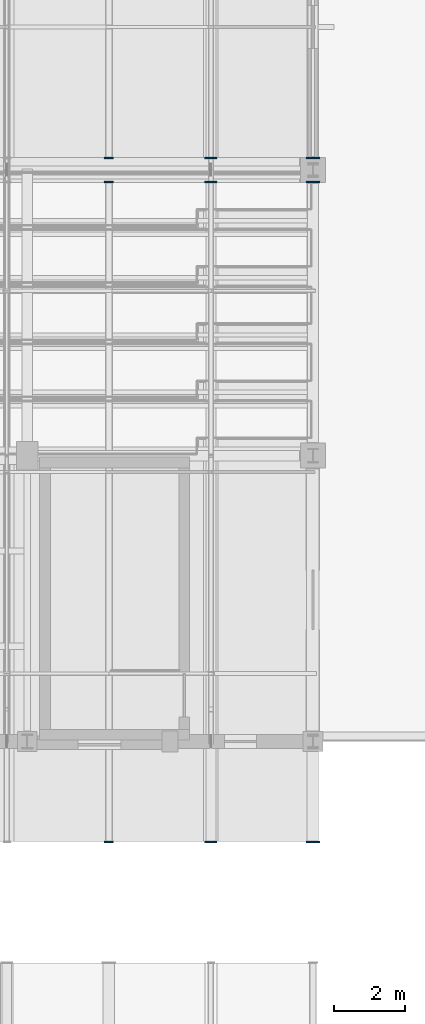
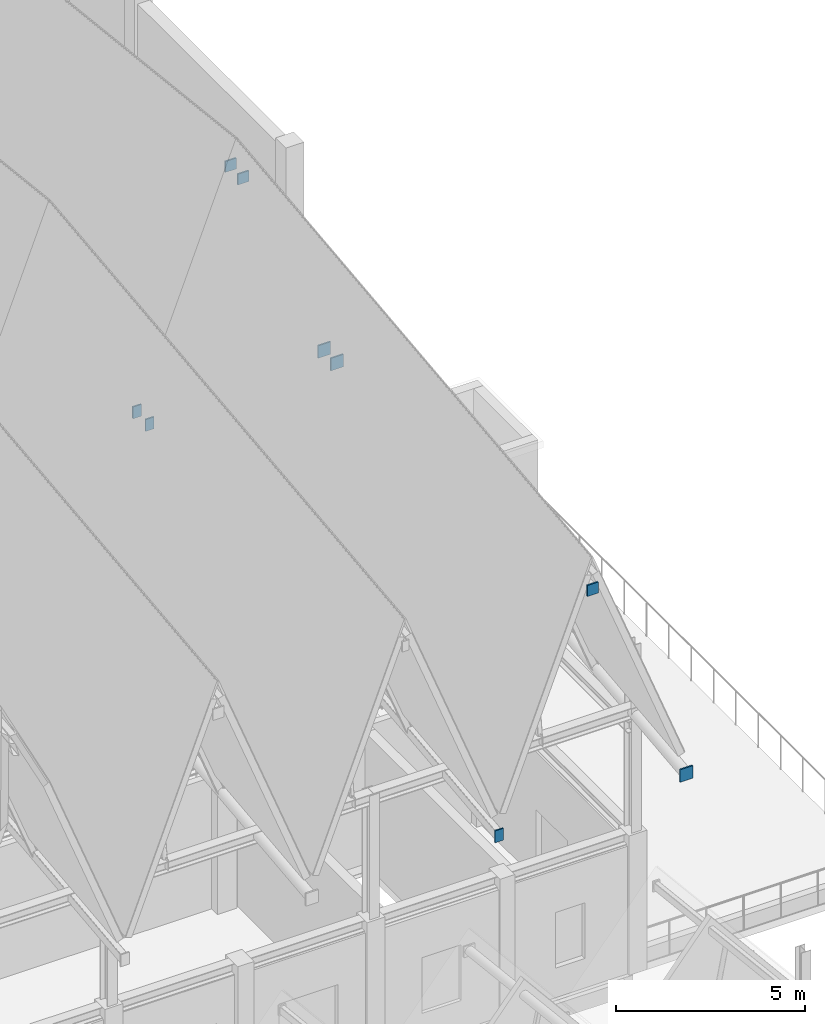
# One storey, part 59 of 77: 9 discrete accessories.
"""IFC4 building model written with IfcOpenShell, lengths in metres."""

import ifcopenshell
import ifcopenshell.guid

model = None  # the IFC model being written
_history = None  # IfcOwnerHistory: only IFC2X3 demands one
_inside = {}  # id of a spatial element -> (the spatial element, [elements in it])
_under = {}  # id of a project, library or spatial element -> (it, [spatial elements below it])
_declared = {}  # id of a project -> (the project, [libraries it declares])
_typed = {}  # id of a type object -> (the type object, [elements of that type])
_made_of = {}  # id of a material, layer set ... -> (it, [elements and type objects made of it])


def new_model(schema):
    """Start an empty IFC model of exactly this schema.

    Asked for "IFC4X3", IfcOpenShell would pick the latest addendum, in which some entities
    have other attributes; the version numbers below select the first issue.
    IFC2X3 requires an IfcOwnerHistory on every rooted entity: one is made here for all.
    """
    global model, _history
    if schema == "IFC4X3":
        model = ifcopenshell.file(schema_version=(4, 3, 0, 0))
    else:
        model = ifcopenshell.file(schema=schema)
    _inside.clear()
    _under.clear()
    _declared.clear()
    _typed.clear()
    _made_of.clear()
    _history = None
    if model.schema == "IFC2X3":
        org = make("IfcOrganization", Name="unknown")
        user = make(
            "IfcPersonAndOrganization",
            ThePerson=make("IfcPerson", FamilyName="unknown"),
            TheOrganization=org,
        )
        app = make(
            "IfcApplication",
            ApplicationDeveloper=org,
            Version="unknown",
            ApplicationFullName="unknown",
            ApplicationIdentifier="unknown",
        )
        _history = make(
            "IfcOwnerHistory",
            OwningUser=user,
            OwningApplication=app,
            ChangeAction="ADDED",
            CreationDate=0,
        )
    return model


def make(cls, **values):
    """One entity of the class cls with the attributes given. An attribute that is None is left unset."""
    return model.create_entity(
        cls, **{name: value for name, value in values.items() if value is not None}
    )


def rooted(cls, **values):
    """An entity with a GlobalId (a new one), such as an element, a storey or a relation."""
    return make(cls, GlobalId=ifcopenshell.guid.new(), OwnerHistory=_history, **values)


def si_unit(unit_type, name, prefix=None):
    """IfcSIUnit, for example si_unit("LENGTHUNIT", "METRE", prefix="MILLI")."""
    return make("IfcSIUnit", UnitType=unit_type, Prefix=prefix, Name=name)


def assignment(units):
    """IfcUnitAssignment: the units of a project."""
    return None if units is None else make("IfcUnitAssignment", Units=units)


def point(xyz):
    """IfcCartesianPoint."""
    return None if xyz is None else make("IfcCartesianPoint", Coordinates=xyz)


def direction(xyz):
    """IfcDirection."""
    return None if xyz is None else make("IfcDirection", DirectionRatios=xyz)


def frame(location, z_axis=None, x_axis=None):
    """IfcAxis2Placement3D, a coordinate frame: its origin and axes. An axis left out is left unset."""
    return make(
        "IfcAxis2Placement3D",
        Location=point(location),
        Axis=direction(z_axis),
        RefDirection=direction(x_axis),
    )


def frame_2d(location, x_axis=None):
    """IfcAxis2Placement2D, a coordinate frame in the plane: its origin and x axis."""
    return make(
        "IfcAxis2Placement2D", Location=point(location), RefDirection=direction(x_axis)
    )


def origin():
    """The frame at (0, 0, 0) with its axes left unset."""
    return frame((0.0, 0.0, 0.0))


def origin_2d():
    """The frame at (0, 0) in the plane with its x axis left unset."""
    return frame_2d((0.0, 0.0))


def place(relative_to, where):
    """IfcLocalPlacement: puts the frame where relative to a parent placement (None: the world)."""
    return make(
        "IfcLocalPlacement", PlacementRelTo=relative_to, RelativePlacement=where
    )


def context(
    kind, dimensions, precision=None, world=None, true_north=None, identifier=None
):
    """IfcGeometricRepresentationContext, for example the 3D "Model" context."""
    return make(
        "IfcGeometricRepresentationContext",
        ContextIdentifier=identifier,
        ContextType=kind,
        CoordinateSpaceDimension=dimensions,
        Precision=precision,
        WorldCoordinateSystem=world,
        TrueNorth=true_north,
    )


def subcontext(parent, identifier, kind, view, scale=None):
    """IfcGeometricRepresentationSubContext, for example "Body" below "Model"."""
    return make(
        "IfcGeometricRepresentationSubContext",
        ContextIdentifier=identifier,
        ContextType=kind,
        ParentContext=parent,
        TargetScale=scale,
        TargetView=view,
    )


def project(units=None, contexts=None):
    """IfcProject with its units and contexts."""
    return rooted(
        "IfcProject",
        Name="project",
        RepresentationContexts=contexts,
        UnitsInContext=assignment(units),
    )


def spatial(cls, under=None, at=None, **own):
    """A site, building, storey or space (cls), placed at a placement, below another one or the project."""
    s = rooted(cls, ObjectPlacement=at, **own)
    if under is not None:
        _under.setdefault(under.id(), (under, []))[1].append(s)
    return s


def profile(cls, at=None, kind="AREA", **sizes):
    """A parametric profile (cls). Its sizes go by their IFC names, for example OverallWidth=200.0."""
    return make(cls, ProfileType=kind, Position=at, **sizes)


def rectangle(**sizes):
    """IfcRectangleProfileDef."""
    return profile("IfcRectangleProfileDef", **sizes)


def extrude(swept, where, along, depth):
    """IfcExtrudedAreaSolid: the profile swept, set in the frame where, extruded along a direction by depth."""
    return make(
        "IfcExtrudedAreaSolid",
        SweptArea=swept,
        Position=where,
        ExtrudedDirection=direction(along),
        Depth=depth,
    )


def shape(context_of_items, identifier, shape_type, items):
    """IfcShapeRepresentation: the items that make up one representation, for example the "Body"."""
    return make(
        "IfcShapeRepresentation",
        ContextOfItems=context_of_items,
        RepresentationIdentifier=identifier,
        RepresentationType=shape_type,
        Items=items,
    )


def material(Name=None, Category=None):
    """IfcMaterial."""
    return make("IfcMaterial", Name=Name, Category=Category)


def made_of(thing, what):
    """Note that an element or type object is made of a material, layer set ...; save() writes the relation."""
    if what is not None:
        _made_of.setdefault(what.id(), (what, []))[1].append(thing)
    return thing


def type_object(cls, material=None, **own):
    """A type object (cls), such as IfcWallType, which elements share."""
    return made_of(rooted(cls, **own), material)


def element(
    cls,
    number,
    at=None,
    inside=None,
    cuts=None,
    type_object=None,
    material=None,
    context=None,
    identifier="Body",
    shape_type=None,
    held_by="IfcProductDefinitionShape",
    body=None,
    shapes=None,
    **own,
):
    """One element of the class cls, such as IfcWall. Its Tag is "e" and its number.

    at: its placement. inside: the storey or other place that contains it. cuts: it is an
    opening in that element (IfcRelVoidsElement). A single representation is given by context,
    identifier, shape_type and body (its items); several are given by shapes. held_by: the class
    of the entity that holds the representations. save() writes the other relations.
    """
    e = rooted(cls, Tag="e%d" % number, ObjectPlacement=at, **own)
    if body is not None:
        shapes = [shape(context, identifier, shape_type, body)]
    if shapes is not None:
        e.Representation = make(held_by, Representations=shapes)
    if inside is not None:
        _inside.setdefault(inside.id(), (inside, []))[1].append(e)
    if cuts is not None:
        rooted(
            "IfcRelVoidsElement", RelatingBuildingElement=cuts, RelatedOpeningElement=e
        )
    if type_object is not None:
        _typed.setdefault(type_object.id(), (type_object, []))[1].append(e)
    return made_of(e, material)


def aggregate(whole, parts):
    """IfcRelAggregates: a whole, such as a stair, and the parts it consists of."""
    return rooted("IfcRelAggregates", RelatingObject=whole, RelatedObjects=parts)


def save(model, path):
    """Write the relations noted so far, then the file.

    IfcRelAggregates (storeys below a building ...), IfcRelContainedInSpatialStructure (elements
    in a storey), IfcRelDefinesByType, IfcRelAssociatesMaterial and IfcRelDeclares: one each for
    every whole, place, type object, material and project.
    """
    for whole, parts in _under.values():
        aggregate(whole, parts)
    for where, things in _inside.values():
        rooted(
            "IfcRelContainedInSpatialStructure",
            RelatedElements=things,
            RelatingStructure=where,
        )
    for kind, things in _typed.values():
        rooted("IfcRelDefinesByType", RelatedObjects=things, RelatingType=kind)
    for what, things in _made_of.values():
        rooted("IfcRelAssociatesMaterial", RelatedObjects=things, RelatingMaterial=what)
    for by, libraries in _declared.values():
        rooted("IfcRelDeclares", RelatingContext=by, RelatedDefinitions=libraries)
    model.write(path)


model = new_model("IFC4")

# Units and contexts
model_context = context("Model", 3, precision=1e-05, world=origin(), true_north=direction((0.0, 1.0)))
body_context = subcontext(model_context, "Body", "Model", "MODEL_VIEW")
ifc_project = project(units=[si_unit("LENGTHUNIT", "METRE"), si_unit("AREAUNIT", "SQUARE_METRE"), si_unit("VOLUMEUNIT", "CUBIC_METRE"), si_unit("PLANEANGLEUNIT", "RADIAN"), si_unit("MASSUNIT", "GRAM", prefix="KILO")], contexts=[model_context])

# Site, building, storey
site_placement = place(None, origin())
site = spatial("IfcSite", under=ifc_project, at=site_placement, CompositionType="ELEMENT")
building_placement = place(site_placement, origin())
building = spatial("IfcBuilding", under=site, at=building_placement, Name="Luwemba Playhouse", CompositionType="ELEMENT")
storey_placement = place(building_placement, frame((0.0, 0.0, 9.300048828125)))
storey = spatial("IfcBuildingStorey", under=building, at=storey_placement, Name="L02", CompositionType="ELEMENT", Elevation=9.300048828125)

# Discrete accessories
ifc_material = material(Name="Steel S355", Category="steel")
discrete_accessory_type = type_object("IfcDiscreteAccessoryType", Name="ACC-ENDCAP-S355", PredefinedType="BRACKET", material=ifc_material)
for number, where, z_axis, x_axis, name in (
    (1, (38.28564453125, 33.18505859375, 7.7841796875), (0.0, 0.0, 1.0), (1.0, 0.0, 0.0), "Welded RHS end cap plate 0049"),
    (2, (38.28564453125, 51.664794921875, 9.857177734375), (0.0, 0.0, 1.0), (1.0, 0.0, 0.0), "Welded RHS end cap plate 0050"),
    (3, (38.28564453125, 52.335205078125, 9.857177734375), (0.0, 0.0, 1.0), (1.0, 0.0, 0.0), "Welded RHS end cap plate 0051"),
):
    element("IfcDiscreteAccessory", number, at=place(storey_placement, frame(where, z_axis=z_axis, x_axis=x_axis)), inside=storey, type_object=discrete_accessory_type, Name=name, PredefinedType="BRACKET", context=body_context, shape_type="SweptSolid", body=[
        extrude(rectangle(XDim=0.260009765625, YDim=0.044921875, at=origin_2d()), origin(), (0.0, 0.0, 1.0), 0.3798828125),
    ])
for number, where, z_axis, x_axis, name in (
    (4, (41.142822265625, 33.18505859375, 14.748779296875), (0.0, 0.0, 1.0), (1.0, 0.0, 0.0), "Welded RHS end cap plate 0053"),
    (5, (41.142822265625, 51.664794921875, 16.82177734375), (0.0, 0.0, 1.0), (1.0, 0.0, 0.0), "Welded RHS end cap plate 0054"),
    (6, (41.142822265625, 52.335205078125, 16.82177734375), (0.0, 0.0, 1.0), (1.0, 0.0, 0.0), "Welded RHS end cap plate 0055"),
):
    element("IfcDiscreteAccessory", number, at=place(storey_placement, frame(where, z_axis=z_axis, x_axis=x_axis)), inside=storey, type_object=discrete_accessory_type, Name=name, PredefinedType="BRACKET", context=body_context, shape_type="SweptSolid", body=[
        extrude(rectangle(XDim=0.3330078125, YDim=0.044921875, at=origin_2d()), origin(), (0.0, 0.0, 1.0), 0.35302734375),
    ])
for number, where, z_axis, x_axis, name in (
    (7, (44.0, 33.18505859375, 7.76025390625), (0.0, 0.0, 1.0), (1.0, 0.0, 0.0), "Welded RHS end cap plate 0057"),
    (8, (44.0, 51.664794921875, 9.8330078125), (0.0, 0.0, 1.0), (1.0, 0.0, 0.0), "Welded RHS end cap plate 0058"),
    (9, (44.0, 52.335205078125, 9.8330078125), (0.0, 0.0, 1.0), (1.0, 0.0, 0.0), "Welded RHS end cap plate 0059"),
):
    element("IfcDiscreteAccessory", number, at=place(storey_placement, frame(where, z_axis=z_axis, x_axis=x_axis)), inside=storey, type_object=discrete_accessory_type, Name=name, PredefinedType="BRACKET", context=body_context, shape_type="SweptSolid", body=[
        extrude(rectangle(XDim=0.384033203125, YDim=0.044921875, at=origin_2d()), origin(), (0.0, 0.0, 1.0), 0.404052734375),
    ])

save(model, "model.ifc")
